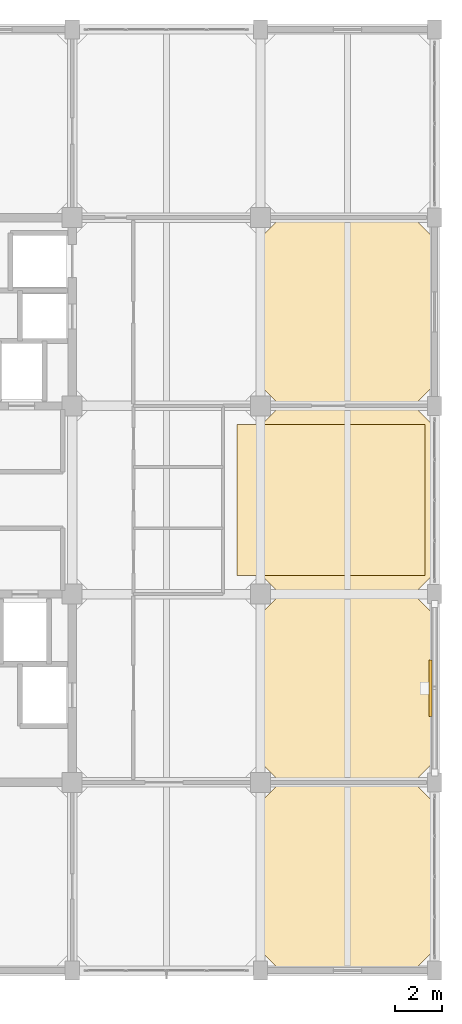
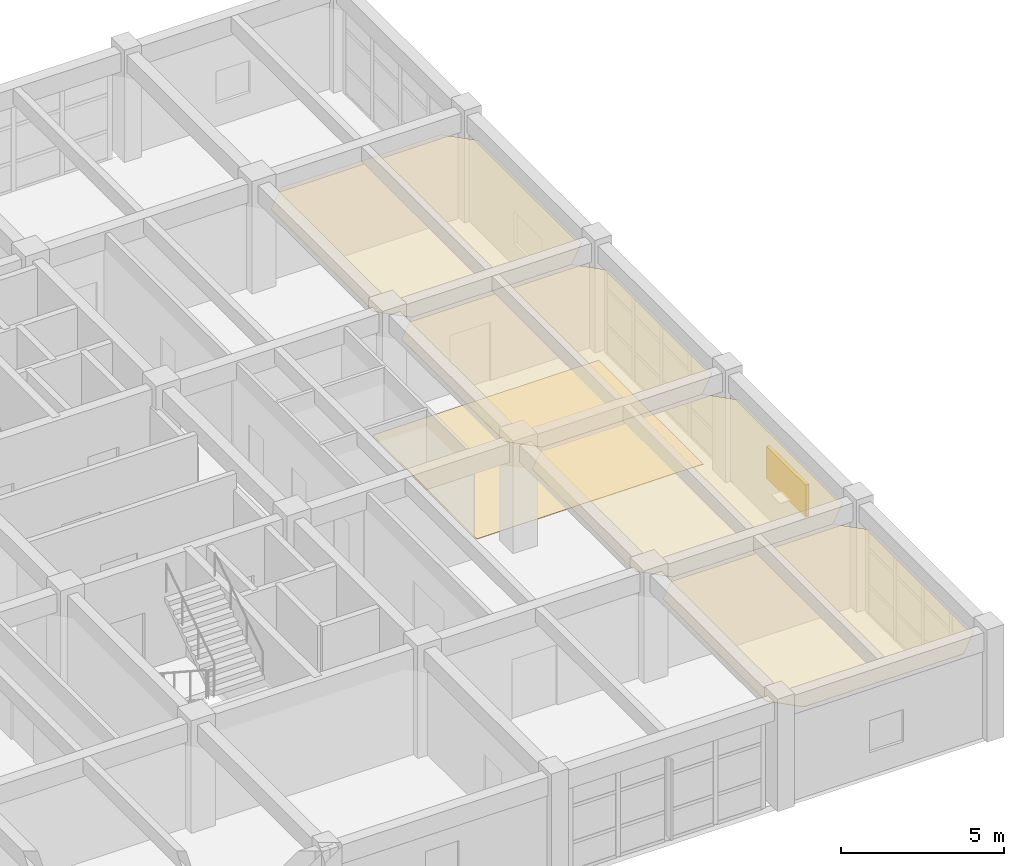
# One storey, part 26 of 27: 5 coverings, 1 shading device.
"""IFC4 building model written with IfcOpenShell, lengths in metres."""

import ifcopenshell
import ifcopenshell.guid

model = None  # the IFC model being written
_history = None  # IfcOwnerHistory: only IFC2X3 demands one
_inside = {}  # id of a spatial element -> (the spatial element, [elements in it])
_under = {}  # id of a project, library or spatial element -> (it, [spatial elements below it])
_declared = {}  # id of a project -> (the project, [libraries it declares])
_typed = {}  # id of a type object -> (the type object, [elements of that type])
_made_of = {}  # id of a material, layer set ... -> (it, [elements and type objects made of it])


def new_model(schema):
    """Start an empty IFC model of exactly this schema.

    Asked for "IFC4X3", IfcOpenShell would pick the latest addendum, in which some entities
    have other attributes; the version numbers below select the first issue.
    IFC2X3 requires an IfcOwnerHistory on every rooted entity: one is made here for all.
    """
    global model, _history
    if schema == "IFC4X3":
        model = ifcopenshell.file(schema_version=(4, 3, 0, 0))
    else:
        model = ifcopenshell.file(schema=schema)
    _inside.clear()
    _under.clear()
    _declared.clear()
    _typed.clear()
    _made_of.clear()
    _history = None
    if model.schema == "IFC2X3":
        org = make("IfcOrganization", Name="unknown")
        user = make(
            "IfcPersonAndOrganization",
            ThePerson=make("IfcPerson", FamilyName="unknown"),
            TheOrganization=org,
        )
        app = make(
            "IfcApplication",
            ApplicationDeveloper=org,
            Version="unknown",
            ApplicationFullName="unknown",
            ApplicationIdentifier="unknown",
        )
        _history = make(
            "IfcOwnerHistory",
            OwningUser=user,
            OwningApplication=app,
            ChangeAction="ADDED",
            CreationDate=0,
        )
    return model


def make(cls, **values):
    """One entity of the class cls with the attributes given. An attribute that is None is left unset."""
    return model.create_entity(
        cls, **{name: value for name, value in values.items() if value is not None}
    )


def rooted(cls, **values):
    """An entity with a GlobalId (a new one), such as an element, a storey or a relation."""
    return make(cls, GlobalId=ifcopenshell.guid.new(), OwnerHistory=_history, **values)


def si_unit(unit_type, name, prefix=None):
    """IfcSIUnit, for example si_unit("LENGTHUNIT", "METRE", prefix="MILLI")."""
    return make("IfcSIUnit", UnitType=unit_type, Prefix=prefix, Name=name)


def assignment(units):
    """IfcUnitAssignment: the units of a project."""
    return None if units is None else make("IfcUnitAssignment", Units=units)


def point(xyz):
    """IfcCartesianPoint."""
    return None if xyz is None else make("IfcCartesianPoint", Coordinates=xyz)


def direction(xyz):
    """IfcDirection."""
    return None if xyz is None else make("IfcDirection", DirectionRatios=xyz)


def frame(location, z_axis=None, x_axis=None):
    """IfcAxis2Placement3D, a coordinate frame: its origin and axes. An axis left out is left unset."""
    return make(
        "IfcAxis2Placement3D",
        Location=point(location),
        Axis=direction(z_axis),
        RefDirection=direction(x_axis),
    )


def frame_2d(location, x_axis=None):
    """IfcAxis2Placement2D, a coordinate frame in the plane: its origin and x axis."""
    return make(
        "IfcAxis2Placement2D", Location=point(location), RefDirection=direction(x_axis)
    )


def origin():
    """The frame at (0, 0, 0) with its axes left unset."""
    return frame((0.0, 0.0, 0.0))


def origin_2d():
    """The frame at (0, 0) in the plane with its x axis left unset."""
    return frame_2d((0.0, 0.0))


def place(relative_to, where):
    """IfcLocalPlacement: puts the frame where relative to a parent placement (None: the world)."""
    return make(
        "IfcLocalPlacement", PlacementRelTo=relative_to, RelativePlacement=where
    )


def context(
    kind, dimensions, precision=None, world=None, true_north=None, identifier=None
):
    """IfcGeometricRepresentationContext, for example the 3D "Model" context."""
    return make(
        "IfcGeometricRepresentationContext",
        ContextIdentifier=identifier,
        ContextType=kind,
        CoordinateSpaceDimension=dimensions,
        Precision=precision,
        WorldCoordinateSystem=world,
        TrueNorth=true_north,
    )


def subcontext(parent, identifier, kind, view, scale=None):
    """IfcGeometricRepresentationSubContext, for example "Body" below "Model"."""
    return make(
        "IfcGeometricRepresentationSubContext",
        ContextIdentifier=identifier,
        ContextType=kind,
        ParentContext=parent,
        TargetScale=scale,
        TargetView=view,
    )


def project(units=None, contexts=None):
    """IfcProject with its units and contexts."""
    return rooted(
        "IfcProject",
        Name="project",
        RepresentationContexts=contexts,
        UnitsInContext=assignment(units),
    )


def spatial(cls, under=None, at=None, **own):
    """A site, building, storey or space (cls), placed at a placement, below another one or the project."""
    s = rooted(cls, ObjectPlacement=at, **own)
    if under is not None:
        _under.setdefault(under.id(), (under, []))[1].append(s)
    return s


def polyline(points):
    """IfcPolyline through the points."""
    return make("IfcPolyline", Points=[point(p) for p in points])


def profile(cls, at=None, kind="AREA", **sizes):
    """A parametric profile (cls). Its sizes go by their IFC names, for example OverallWidth=200.0."""
    return make(cls, ProfileType=kind, Position=at, **sizes)


def rectangle(**sizes):
    """IfcRectangleProfileDef."""
    return profile("IfcRectangleProfileDef", **sizes)


def outline(outer, holes=None, kind="AREA"):
    """IfcArbitraryClosedProfileDef: a profile drawn as a closed curve; with holes, ...WithVoids."""
    if holes is None:
        return make("IfcArbitraryClosedProfileDef", ProfileType=kind, OuterCurve=outer)
    return make(
        "IfcArbitraryProfileDefWithVoids",
        ProfileType=kind,
        OuterCurve=outer,
        InnerCurves=holes,
    )


def extrude(swept, where, along, depth):
    """IfcExtrudedAreaSolid: the profile swept, set in the frame where, extruded along a direction by depth."""
    return make(
        "IfcExtrudedAreaSolid",
        SweptArea=swept,
        Position=where,
        ExtrudedDirection=direction(along),
        Depth=depth,
    )


def shape(context_of_items, identifier, shape_type, items):
    """IfcShapeRepresentation: the items that make up one representation, for example the "Body"."""
    return make(
        "IfcShapeRepresentation",
        ContextOfItems=context_of_items,
        RepresentationIdentifier=identifier,
        RepresentationType=shape_type,
        Items=items,
    )


def material(Name=None, Category=None):
    """IfcMaterial."""
    return make("IfcMaterial", Name=Name, Category=Category)


def layer(
    of_material, thickness, ventilated=None, Name=None, Category=None, Priority=None
):
    """IfcMaterialLayer: one layer of a wall or slab, of a material (None: an air gap)."""
    return make(
        "IfcMaterialLayer",
        Material=of_material,
        LayerThickness=thickness,
        IsVentilated=ventilated,
        Name=Name,
        Category=Category,
        Priority=Priority,
    )


def layer_set(layers, Name=None):
    """IfcMaterialLayerSet."""
    return make("IfcMaterialLayerSet", MaterialLayers=layers, LayerSetName=Name)


def made_of(thing, what):
    """Note that an element or type object is made of a material, layer set ...; save() writes the relation."""
    if what is not None:
        _made_of.setdefault(what.id(), (what, []))[1].append(thing)
    return thing


def type_object(cls, material=None, **own):
    """A type object (cls), such as IfcWallType, which elements share."""
    return made_of(rooted(cls, **own), material)


def element(
    cls,
    number,
    at=None,
    inside=None,
    cuts=None,
    type_object=None,
    material=None,
    context=None,
    identifier="Body",
    shape_type=None,
    held_by="IfcProductDefinitionShape",
    body=None,
    shapes=None,
    **own,
):
    """One element of the class cls, such as IfcWall. Its Tag is "e" and its number.

    at: its placement. inside: the storey or other place that contains it. cuts: it is an
    opening in that element (IfcRelVoidsElement). A single representation is given by context,
    identifier, shape_type and body (its items); several are given by shapes. held_by: the class
    of the entity that holds the representations. save() writes the other relations.
    """
    e = rooted(cls, Tag="e%d" % number, ObjectPlacement=at, **own)
    if body is not None:
        shapes = [shape(context, identifier, shape_type, body)]
    if shapes is not None:
        e.Representation = make(held_by, Representations=shapes)
    if inside is not None:
        _inside.setdefault(inside.id(), (inside, []))[1].append(e)
    if cuts is not None:
        rooted(
            "IfcRelVoidsElement", RelatingBuildingElement=cuts, RelatedOpeningElement=e
        )
    if type_object is not None:
        _typed.setdefault(type_object.id(), (type_object, []))[1].append(e)
    return made_of(e, material)


def aggregate(whole, parts):
    """IfcRelAggregates: a whole, such as a stair, and the parts it consists of."""
    return rooted("IfcRelAggregates", RelatingObject=whole, RelatedObjects=parts)


def save(model, path):
    """Write the relations noted so far, then the file.

    IfcRelAggregates (storeys below a building ...), IfcRelContainedInSpatialStructure (elements
    in a storey), IfcRelDefinesByType, IfcRelAssociatesMaterial and IfcRelDeclares: one each for
    every whole, place, type object, material and project.
    """
    for whole, parts in _under.values():
        aggregate(whole, parts)
    for where, things in _inside.values():
        rooted(
            "IfcRelContainedInSpatialStructure",
            RelatedElements=things,
            RelatingStructure=where,
        )
    for kind, things in _typed.values():
        rooted("IfcRelDefinesByType", RelatedObjects=things, RelatingType=kind)
    for what, things in _made_of.values():
        rooted("IfcRelAssociatesMaterial", RelatedObjects=things, RelatingMaterial=what)
    for by, libraries in _declared.values():
        rooted("IfcRelDeclares", RelatingContext=by, RelatedDefinitions=libraries)
    model.write(path)


model = new_model("IFC4")

# Units and contexts
model_context = context("Model", 3, precision=1e-05, world=origin(), true_north=direction((0.0, 1.0)))
body_context = subcontext(model_context, "Body", "Model", "MODEL_VIEW")
ifc_project = project(units=[si_unit("LENGTHUNIT", "METRE"), si_unit("AREAUNIT", "SQUARE_METRE"), si_unit("VOLUMEUNIT", "CUBIC_METRE"), si_unit("PLANEANGLEUNIT", "RADIAN"), si_unit("MASSUNIT", "GRAM", prefix="KILO")], contexts=[model_context])

# Site, building, storey
site_placement = place(None, origin())
site = spatial("IfcSite", under=ifc_project, at=site_placement, CompositionType="ELEMENT")
building_placement = place(site_placement, origin())
building = spatial("IfcBuilding", under=site, at=building_placement, Name="Canggui Botanical Conservatory", CompositionType="ELEMENT")
storey_placement = place(building_placement, frame((0.0, 0.0, 31.800048828125)))
storey = spatial("IfcBuildingStorey", under=building, at=storey_placement, Name="L08", CompositionType="ELEMENT", Elevation=31.800048828125)

# Coverings
ifc_material_1 = material(Name="Mineral Fibre Acoustic Board")
ifc_layer_1 = layer(ifc_material_1, 0.014892578125, Name="Mineral Fibre Acoustic Board")
ifc_layer_set_1 = layer_set([ifc_layer_1], Name="Mineral Fibre Acoustic Board")
covering_type_1 = type_object("IfcCoveringType", Name="COV-CEIL-15", PredefinedType="CEILING", material=ifc_layer_set_1)
covering_1_placement = place(storey_placement, frame((0.0, 0.0, 3.264892578125)))
element("IfcCovering", 1, at=covering_1_placement, inside=storey, type_object=covering_type_1, Name="Suspended Acoustic Ceiling L08-170-42", PredefinedType="CEILING", context=body_context, shape_type="SweptSolid", body=[
    extrude(outline(polyline([(170.85009765625, 42.0), (176.5, 42.0), (177.35009765625, 42.85009765625), (177.35009765625, 49.14990234375), (176.5, 50.0), (170.85009765625, 50.0), (170.0, 49.14990234375), (170.0, 42.85009765625), (170.85009765625, 42.0)])), origin(), (0.0, 0.0, 1.0), 0.01513671875),
])
covering_2_placement = place(storey_placement, frame((0.0, 0.0, 3.264892578125)))
element("IfcCovering", 2, at=covering_2_placement, inside=storey, type_object=covering_type_1, Name="Suspended Acoustic Ceiling L08-170-58", PredefinedType="CEILING", context=body_context, shape_type="SweptSolid", body=[
    extrude(outline(polyline([(170.85009765625, 58.0), (176.5, 58.0), (177.35009765625, 58.85009765625), (177.35009765625, 65.14990234375), (176.5, 66.0), (170.85009765625, 66.0), (170.0, 65.14990234375), (170.0, 58.85009765625), (170.85009765625, 58.0)])), origin(), (0.0, 0.0, 1.0), 0.01513671875),
])
ifc_material_2 = material(Name="Perforated Gypsum Acoustic Panel")
ifc_layer_2 = layer(ifc_material_2, 0.02001953125, Name="Perforated Gypsum Acoustic Panel")
ifc_layer_set_2 = layer_set([ifc_layer_2], Name="Perforated Gypsum Acoustic Panel")
covering_type_2 = type_object("IfcCoveringType", Name="COV-CEIL-20", PredefinedType="CEILING", material=ifc_layer_set_2)
covering_3_placement = place(storey_placement, frame((0.0, 0.0, 3.260009765625)))
element("IfcCovering", 3, at=covering_3_placement, inside=storey, type_object=covering_type_2, Name="Suspended Acoustic Ceiling L08-170-34", PredefinedType="CEILING", context=body_context, shape_type="SweptSolid", body=[
    extrude(outline(polyline([(170.85009765625, 34.0), (176.5, 34.0), (177.35009765625, 34.85009765625), (177.35009765625, 41.14990234375), (176.5, 42.0), (170.85009765625, 42.0), (170.0, 41.14990234375), (170.0, 34.85009765625), (170.85009765625, 34.0)])), origin(), (0.0, 0.0, 1.0), 0.02001953125),
])
covering_4_placement = place(storey_placement, frame((0.0, 0.0, 3.260009765625)))
element("IfcCovering", 4, at=covering_4_placement, inside=storey, type_object=covering_type_2, Name="Suspended Acoustic Ceiling L08-170-50", PredefinedType="CEILING", context=body_context, shape_type="SweptSolid", body=[
    extrude(outline(polyline([(170.85009765625, 50.0), (176.5, 50.0), (177.35009765625, 50.85009765625), (177.35009765625, 57.14990234375), (176.5, 58.0), (170.85009765625, 58.0), (170.0, 57.14990234375), (170.0, 50.85009765625), (170.85009765625, 50.0)])), origin(), (0.0, 0.0, 1.0), 0.02001953125),
])
ifc_material_3 = material(Name="Seamless Laboratory Epoxy Resin")
ifc_layer_3 = layer(ifc_material_3, 0.011962890625, Name="Seamless Laboratory Epoxy Resin")
ifc_layer_set_3 = layer_set([ifc_layer_3], Name="Seamless Laboratory Epoxy Resin")
covering_type_3 = type_object("IfcCoveringType", Name="COV-FLR-12", PredefinedType="FLOORING", material=ifc_layer_set_3)
covering_5_placement = place(storey_placement, origin())
element("IfcCovering", 5, at=covering_5_placement, inside=storey, type_object=covering_type_3, Name="Laboratory Finish Flooring L08", PredefinedType="FLOORING", context=body_context, shape_type="SweptSolid", body=[
    extrude(outline(polyline([(169.0, 50.800048828125), (177.0, 50.800048828125), (177.0, 57.199951171875), (169.0, 57.199951171875), (169.0, 50.800048828125)])), origin(), (0.0, 0.0, 1.0), 0.011962890625),
])

# Shading device
ifc_material_4 = material(Name="Anodised Aluminium", Category="aluminium")
shading_device_type = type_object("IfcShadingDeviceType", Name="SHD-LOUV01", PredefinedType="JALOUSIE", material=ifc_material_4)
shading_device_placement = place(storey_placement, frame((177.219970703125, 46.0, 1.60009765625), z_axis=(0.0, 0.0, 1.0), x_axis=(0.0, 1.0, 0.0)))
element("IfcShadingDevice", 6, at=shading_device_placement, inside=storey, type_object=shading_device_type, Name="Acoustic Intake Louvre L08-19", PredefinedType="JALOUSIE", context=body_context, shape_type="SweptSolid", body=[
    extrude(rectangle(XDim=2.39990234375, YDim=0.1201171875, at=origin_2d()), origin(), (0.0, 0.0, 1.0), 1.199951171875),
])

save(model, "model.ifc")
